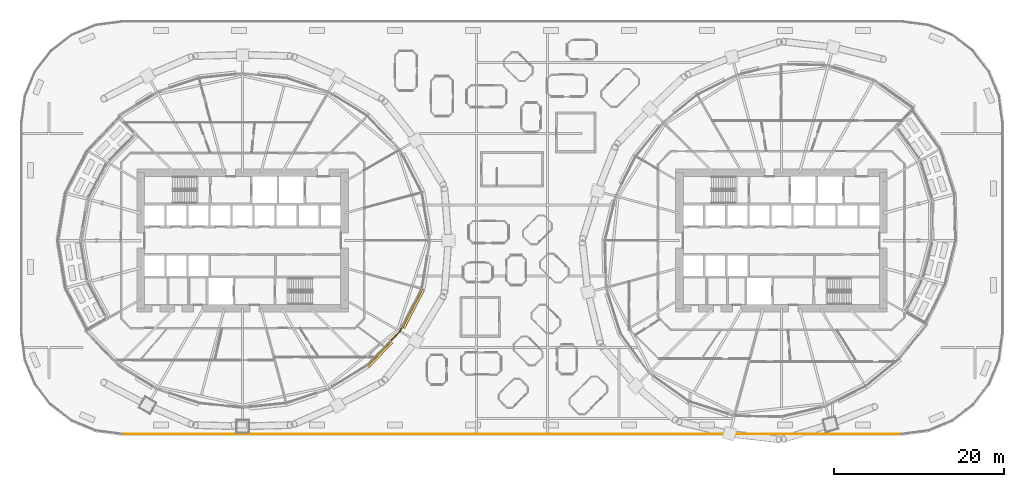
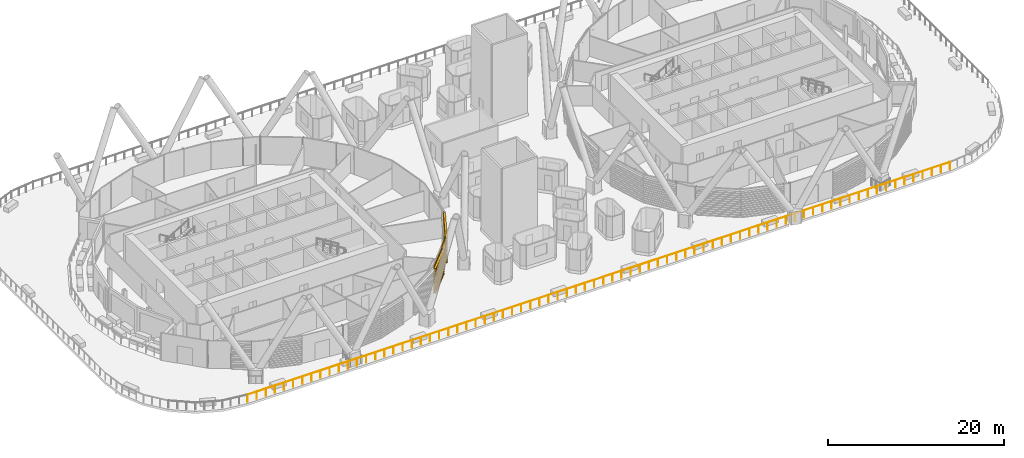
# One storey, part 38 of 47: 3 coverings, 1 railing.
"""IFC4 building model written with IfcOpenShell, lengths in metres."""

from ifc_helpers import new_model, si_unit, direction, frame, origin, origin_2d, place, context, subcontext, project, spatial, polyline, circle, outline, extrude, material, layer, layer_set, material_profile, profile_set, type_object, element, save


model = new_model("IFC4")

# Units and contexts
model_context = context("Model", 3, precision=1e-05, world=origin(), true_north=direction((0.0, 1.0)))
body_context = subcontext(model_context, "Body", "Model", "MODEL_VIEW")
ifc_project = project(units=[si_unit("LENGTHUNIT", "METRE"), si_unit("AREAUNIT", "SQUARE_METRE"), si_unit("VOLUMEUNIT", "CUBIC_METRE"), si_unit("PLANEANGLEUNIT", "RADIAN"), si_unit("MASSUNIT", "GRAM", prefix="KILO")], contexts=[model_context])

# Site, building, storey
site_placement = place(None, origin())
site = spatial("IfcSite", under=ifc_project, at=site_placement, CompositionType="ELEMENT")
building_placement = place(site_placement, origin())
building = spatial("IfcBuilding", under=site, at=building_placement, Name="Rimbun Link Towers", CompositionType="ELEMENT")
storey_placement = place(building_placement, frame((0.0, 0.0, 30.0)))
storey = spatial("IfcBuildingStorey", under=building, at=storey_placement, Name="L06", CompositionType="ELEMENT", Elevation=30.0)

# Railing
ifc_material_1 = material(Name="Toughened laminated glass, stainless steel grade 316 posts and cap rail", Category="steel")
railing_type = type_object("IfcRailingType", Name="GUARD glass balustrade with stainless cap rail", PredefinedType="BALUSTRADE", material=ifc_material_1)
railing_placement = place(storey_placement, frame((-45.98681640625, -22.800048828125, 0.0)))
element("IfcRailing", 1, at=railing_placement, inside=storey, type_object=railing_type, Name="GUARD glass balustrade", PredefinedType="BALUSTRADE", context=body_context, shape_type="SweptSolid", body=[
    extrude(circle(Radius=0.02392578125, at=origin_2d()), frame((0.0, 0.0, 1.076171875), z_axis=(1.0, 0.0, 0.0), x_axis=(0.0, 1.0, 0.0)), (0.0, 0.0, 1.0), 91.9736328125),
    extrude(circle(Radius=0.02099609375, at=origin_2d()), origin(), (0.0, 0.0, 1.0), 1.052001953125),
    extrude(circle(Radius=0.02099609375, at=origin_2d()), frame((1.194580078125, 0.0, 0.0)), (0.0, 0.0, 1.0), 1.052001953125),
    extrude(circle(Radius=0.02099609375, at=origin_2d()), frame((2.388916015625, 0.0, 0.0)), (0.0, 0.0, 1.0), 1.052001953125),
    extrude(circle(Radius=0.02099609375, at=origin_2d()), frame((3.58349609375, 0.0, 0.0)), (0.0, 0.0, 1.0), 1.052001953125),
    extrude(circle(Radius=0.02099609375, at=origin_2d()), frame((4.77783203125, 0.0, 0.0)), (0.0, 0.0, 1.0), 1.052001953125),
    extrude(circle(Radius=0.02099609375, at=origin_2d()), frame((5.972412109375, 0.0, 0.0)), (0.0, 0.0, 1.0), 1.052001953125),
    extrude(circle(Radius=0.02099609375, at=origin_2d()), frame((7.166748046875, 0.0, 0.0)), (0.0, 0.0, 1.0), 1.052001953125),
    extrude(circle(Radius=0.02099609375, at=origin_2d()), frame((8.361328125, 0.0, 0.0)), (0.0, 0.0, 1.0), 1.052001953125),
    extrude(circle(Radius=0.02099609375, at=origin_2d()), frame((9.5556640625, 0.0, 0.0)), (0.0, 0.0, 1.0), 1.052001953125),
    extrude(circle(Radius=0.02099609375, at=origin_2d()), frame((10.750244140625, 0.0, 0.0)), (0.0, 0.0, 1.0), 1.052001953125),
    extrude(circle(Radius=0.02099609375, at=origin_2d()), frame((11.944580078125, 0.0, 0.0)), (0.0, 0.0, 1.0), 1.052001953125),
    extrude(circle(Radius=0.02099609375, at=origin_2d()), frame((13.13916015625, 0.0, 0.0)), (0.0, 0.0, 1.0), 1.052001953125),
    extrude(circle(Radius=0.02099609375, at=origin_2d()), frame((14.33349609375, 0.0, 0.0)), (0.0, 0.0, 1.0), 1.052001953125),
    extrude(circle(Radius=0.02099609375, at=origin_2d()), frame((15.528076171875, 0.0, 0.0)), (0.0, 0.0, 1.0), 1.052001953125),
    extrude(circle(Radius=0.02099609375, at=origin_2d()), frame((16.722412109375, 0.0, 0.0)), (0.0, 0.0, 1.0), 1.052001953125),
    extrude(circle(Radius=0.02099609375, at=origin_2d()), frame((17.9169921875, 0.0, 0.0)), (0.0, 0.0, 1.0), 1.052001953125),
    extrude(circle(Radius=0.02099609375, at=origin_2d()), frame((19.111328125, 0.0, 0.0)), (0.0, 0.0, 1.0), 1.052001953125),
    extrude(circle(Radius=0.02099609375, at=origin_2d()), frame((20.305908203125, 0.0, 0.0)), (0.0, 0.0, 1.0), 1.052001953125),
    extrude(circle(Radius=0.02099609375, at=origin_2d()), frame((21.500244140625, 0.0, 0.0)), (0.0, 0.0, 1.0), 1.052001953125),
    extrude(circle(Radius=0.02099609375, at=origin_2d()), frame((22.69482421875, 0.0, 0.0)), (0.0, 0.0, 1.0), 1.052001953125),
    extrude(circle(Radius=0.02099609375, at=origin_2d()), frame((23.88916015625, 0.0, 0.0)), (0.0, 0.0, 1.0), 1.052001953125),
    extrude(circle(Radius=0.02099609375, at=origin_2d()), frame((25.083740234375, 0.0, 0.0)), (0.0, 0.0, 1.0), 1.052001953125),
    extrude(circle(Radius=0.02099609375, at=origin_2d()), frame((26.278076171875, 0.0, 0.0)), (0.0, 0.0, 1.0), 1.052001953125),
    extrude(circle(Radius=0.02099609375, at=origin_2d()), frame((27.47265625, 0.0, 0.0)), (0.0, 0.0, 1.0), 1.052001953125),
    extrude(circle(Radius=0.02099609375, at=origin_2d()), frame((28.6669921875, 0.0, 0.0)), (0.0, 0.0, 1.0), 1.052001953125),
    extrude(circle(Radius=0.02099609375, at=origin_2d()), frame((29.861572265625, 0.0, 0.0)), (0.0, 0.0, 1.0), 1.052001953125),
    extrude(circle(Radius=0.02099609375, at=origin_2d()), frame((31.05615234375, 0.0, 0.0)), (0.0, 0.0, 1.0), 1.052001953125),
    extrude(circle(Radius=0.02099609375, at=origin_2d()), frame((32.25048828125, 0.0, 0.0)), (0.0, 0.0, 1.0), 1.052001953125),
    extrude(circle(Radius=0.02099609375, at=origin_2d()), frame((33.445068359375, 0.0, 0.0)), (0.0, 0.0, 1.0), 1.052001953125),
    extrude(circle(Radius=0.02099609375, at=origin_2d()), frame((34.639404296875, 0.0, 0.0)), (0.0, 0.0, 1.0), 1.052001953125),
    extrude(circle(Radius=0.02099609375, at=origin_2d()), frame((35.833984375, 0.0, 0.0)), (0.0, 0.0, 1.0), 1.052001953125),
    extrude(circle(Radius=0.02099609375, at=origin_2d()), frame((37.0283203125, 0.0, 0.0)), (0.0, 0.0, 1.0), 1.052001953125),
    extrude(circle(Radius=0.02099609375, at=origin_2d()), frame((38.222900390625, 0.0, 0.0)), (0.0, 0.0, 1.0), 1.052001953125),
    extrude(circle(Radius=0.02099609375, at=origin_2d()), frame((39.417236328125, 0.0, 0.0)), (0.0, 0.0, 1.0), 1.052001953125),
    extrude(circle(Radius=0.02099609375, at=origin_2d()), frame((40.61181640625, 0.0, 0.0)), (0.0, 0.0, 1.0), 1.052001953125),
    extrude(circle(Radius=0.02099609375, at=origin_2d()), frame((41.80615234375, 0.0, 0.0)), (0.0, 0.0, 1.0), 1.052001953125),
    extrude(circle(Radius=0.02099609375, at=origin_2d()), frame((43.000732421875, 0.0, 0.0)), (0.0, 0.0, 1.0), 1.052001953125),
    extrude(circle(Radius=0.02099609375, at=origin_2d()), frame((44.195068359375, 0.0, 0.0)), (0.0, 0.0, 1.0), 1.052001953125),
    extrude(circle(Radius=0.02099609375, at=origin_2d()), frame((45.3896484375, 0.0, 0.0)), (0.0, 0.0, 1.0), 1.052001953125),
    extrude(circle(Radius=0.02099609375, at=origin_2d()), frame((46.583984375, 0.0, 0.0)), (0.0, 0.0, 1.0), 1.052001953125),
    extrude(circle(Radius=0.02099609375, at=origin_2d()), frame((47.778564453125, 0.0, 0.0)), (0.0, 0.0, 1.0), 1.052001953125),
    extrude(circle(Radius=0.02099609375, at=origin_2d()), frame((48.972900390625, 0.0, 0.0)), (0.0, 0.0, 1.0), 1.052001953125),
    extrude(circle(Radius=0.02099609375, at=origin_2d()), frame((50.16748046875, 0.0, 0.0)), (0.0, 0.0, 1.0), 1.052001953125),
    extrude(circle(Radius=0.02099609375, at=origin_2d()), frame((51.36181640625, 0.0, 0.0)), (0.0, 0.0, 1.0), 1.052001953125),
    extrude(circle(Radius=0.02099609375, at=origin_2d()), frame((52.556396484375, 0.0, 0.0)), (0.0, 0.0, 1.0), 1.052001953125),
    extrude(circle(Radius=0.02099609375, at=origin_2d()), frame((53.750732421875, 0.0, 0.0)), (0.0, 0.0, 1.0), 1.052001953125),
    extrude(circle(Radius=0.02099609375, at=origin_2d()), frame((54.9453125, 0.0, 0.0)), (0.0, 0.0, 1.0), 1.052001953125),
    extrude(circle(Radius=0.02099609375, at=origin_2d()), frame((56.1396484375, 0.0, 0.0)), (0.0, 0.0, 1.0), 1.052001953125),
    extrude(circle(Radius=0.02099609375, at=origin_2d()), frame((57.334228515625, 0.0, 0.0)), (0.0, 0.0, 1.0), 1.052001953125),
    extrude(circle(Radius=0.02099609375, at=origin_2d()), frame((58.528564453125, 0.0, 0.0)), (0.0, 0.0, 1.0), 1.052001953125),
    extrude(circle(Radius=0.02099609375, at=origin_2d()), frame((59.72314453125, 0.0, 0.0)), (0.0, 0.0, 1.0), 1.052001953125),
    extrude(circle(Radius=0.02099609375, at=origin_2d()), frame((60.91748046875, 0.0, 0.0)), (0.0, 0.0, 1.0), 1.052001953125),
    extrude(circle(Radius=0.02099609375, at=origin_2d()), frame((62.112060546875, 0.0, 0.0)), (0.0, 0.0, 1.0), 1.052001953125),
    extrude(circle(Radius=0.02099609375, at=origin_2d()), frame((63.306640625, 0.0, 0.0)), (0.0, 0.0, 1.0), 1.052001953125),
    extrude(circle(Radius=0.02099609375, at=origin_2d()), frame((64.5009765625, 0.0, 0.0)), (0.0, 0.0, 1.0), 1.052001953125),
    extrude(circle(Radius=0.02099609375, at=origin_2d()), frame((65.695556640625, 0.0, 0.0)), (0.0, 0.0, 1.0), 1.052001953125),
    extrude(circle(Radius=0.02099609375, at=origin_2d()), frame((66.889892578125, 0.0, 0.0)), (0.0, 0.0, 1.0), 1.052001953125),
    extrude(circle(Radius=0.02099609375, at=origin_2d()), frame((68.08447265625, 0.0, 0.0)), (0.0, 0.0, 1.0), 1.052001953125),
    extrude(circle(Radius=0.02099609375, at=origin_2d()), frame((69.27880859375, 0.0, 0.0)), (0.0, 0.0, 1.0), 1.052001953125),
    extrude(circle(Radius=0.02099609375, at=origin_2d()), frame((70.473388671875, 0.0, 0.0)), (0.0, 0.0, 1.0), 1.052001953125),
    extrude(circle(Radius=0.02099609375, at=origin_2d()), frame((71.667724609375, 0.0, 0.0)), (0.0, 0.0, 1.0), 1.052001953125),
    extrude(circle(Radius=0.02099609375, at=origin_2d()), frame((72.8623046875, 0.0, 0.0)), (0.0, 0.0, 1.0), 1.052001953125),
    extrude(circle(Radius=0.02099609375, at=origin_2d()), frame((74.056640625, 0.0, 0.0)), (0.0, 0.0, 1.0), 1.052001953125),
    extrude(circle(Radius=0.02099609375, at=origin_2d()), frame((75.251220703125, 0.0, 0.0)), (0.0, 0.0, 1.0), 1.052001953125),
    extrude(circle(Radius=0.02099609375, at=origin_2d()), frame((76.445556640625, 0.0, 0.0)), (0.0, 0.0, 1.0), 1.052001953125),
    extrude(circle(Radius=0.02099609375, at=origin_2d()), frame((77.64013671875, 0.0, 0.0)), (0.0, 0.0, 1.0), 1.052001953125),
    extrude(circle(Radius=0.02099609375, at=origin_2d()), frame((78.83447265625, 0.0, 0.0)), (0.0, 0.0, 1.0), 1.052001953125),
    extrude(circle(Radius=0.02099609375, at=origin_2d()), frame((80.029052734375, 0.0, 0.0)), (0.0, 0.0, 1.0), 1.052001953125),
    extrude(circle(Radius=0.02099609375, at=origin_2d()), frame((81.223388671875, 0.0, 0.0)), (0.0, 0.0, 1.0), 1.052001953125),
    extrude(circle(Radius=0.02099609375, at=origin_2d()), frame((82.41796875, 0.0, 0.0)), (0.0, 0.0, 1.0), 1.052001953125),
    extrude(circle(Radius=0.02099609375, at=origin_2d()), frame((83.6123046875, 0.0, 0.0)), (0.0, 0.0, 1.0), 1.052001953125),
    extrude(circle(Radius=0.02099609375, at=origin_2d()), frame((84.806884765625, 0.0, 0.0)), (0.0, 0.0, 1.0), 1.052001953125),
    extrude(circle(Radius=0.02099609375, at=origin_2d()), frame((86.001220703125, 0.0, 0.0)), (0.0, 0.0, 1.0), 1.052001953125),
    extrude(circle(Radius=0.02099609375, at=origin_2d()), frame((87.19580078125, 0.0, 0.0)), (0.0, 0.0, 1.0), 1.052001953125),
    extrude(circle(Radius=0.02099609375, at=origin_2d()), frame((88.39013671875, 0.0, 0.0)), (0.0, 0.0, 1.0), 1.052001953125),
    extrude(circle(Radius=0.02099609375, at=origin_2d()), frame((89.584716796875, 0.0, 0.0)), (0.0, 0.0, 1.0), 1.052001953125),
    extrude(circle(Radius=0.02099609375, at=origin_2d()), frame((90.779052734375, 0.0, 0.0)), (0.0, 0.0, 1.0), 1.052001953125),
    extrude(circle(Radius=0.02099609375, at=origin_2d()), frame((91.9736328125, 0.0, 0.0)), (0.0, 0.0, 1.0), 1.052001953125),
])

# Coverings
ifc_material_2 = material(Name="Terracotta", Category="masonry")
ifc_layer = layer(ifc_material_2, 0.1201171875)
ifc_layer_set = layer_set([ifc_layer], Name="LINK PIER terracotta cladding 120")
covering_type_1 = type_object("IfcCoveringType", Name="LINK PIER terracotta cladding 120", PredefinedType="CLADDING", material=ifc_layer_set)
covering_1_placement = place(storey_placement, origin())
element("IfcCovering", 2, at=covering_1_placement, inside=storey, type_object=covering_type_1, Name="LINK PIER cladding", PredefinedType="CLADDING", context=body_context, shape_type="SweptSolid", body=[
    extrude(outline(polyline([(-13.026123046875, -10.21044921875), (-13.26513671875, -10.672119140625), (-14.317138671875, -11.769287109375), (-14.23046875, -11.8525390625), (-13.16650390625, -10.74267578125), (-12.919677734375, -10.265625), (-13.026123046875, -10.21044921875)])), origin(), (0.0, 0.0, 1.0), 3.800048828125),
])
ifc_material_3 = material(Name="Terracotta", Category="masonry")
ifc_material_profile = material_profile(ifc_material_3, outline(polyline([(0.123046875, 0.0), (0.1630859375, 0.0), (0.1630859375, 0.10009765625), (0.423095703125, 0.10009765625), (0.423095703125, 0.219970703125), (0.1630859375, 0.219970703125), (0.1630859375, 0.39990234375), (0.423095703125, 0.39990234375), (0.423095703125, 0.52001953125), (0.1630859375, 0.52001953125), (0.1630859375, 0.699951171875), (0.423095703125, 0.699951171875), (0.423095703125, 0.820068359375), (0.1630859375, 0.820068359375), (0.1630859375, 1.0), (0.423095703125, 1.0), (0.423095703125, 1.1201171875), (0.1630859375, 1.1201171875), (0.1630859375, 1.300048828125), (0.423095703125, 1.300048828125), (0.423095703125, 1.419921875), (0.1630859375, 1.419921875), (0.1630859375, 1.60009765625), (0.423095703125, 1.60009765625), (0.423095703125, 1.719970703125), (0.1630859375, 1.719970703125), (0.1630859375, 1.89990234375), (0.423095703125, 1.89990234375), (0.423095703125, 2.02001953125), (0.1630859375, 2.02001953125), (0.1630859375, 2.199951171875), (0.423095703125, 2.199951171875), (0.423095703125, 2.320068359375), (0.1630859375, 2.320068359375), (0.1630859375, 2.5), (0.423095703125, 2.5), (0.423095703125, 2.6201171875), (0.1630859375, 2.6201171875), (0.1630859375, 2.800048828125), (0.423095703125, 2.800048828125), (0.423095703125, 2.919921875), (0.1630859375, 2.919921875), (0.1630859375, 3.10009765625), (0.423095703125, 3.10009765625), (0.423095703125, 3.219970703125), (0.1630859375, 3.219970703125), (0.1630859375, 3.39990234375), (0.423095703125, 3.39990234375), (0.423095703125, 3.52001953125), (0.1630859375, 3.52001953125), (0.1630859375, 3.800048828125), (0.123046875, 3.800048828125), (0.123046875, 0.0)])), Name="BAGUETTE 120X300")
ifc_profile_set = profile_set([ifc_material_profile], Name="Terracotta")
covering_type_2 = type_object("IfcCoveringType", Name="TERRACOTTA BAGUETTE 120X300 H3800", PredefinedType="CLADDING", material=ifc_profile_set)
covering_2_placement = place(storey_placement, frame((-14.337890625, -11.791015625, 0.0), z_axis=(-0.692026728068, -0.721871877579, 0.0), x_axis=(0.721871877579, -0.692026728068, 0.0)))
element("IfcCovering", 3, at=covering_2_placement, inside=storey, type_object=covering_type_2, Name="TERRACOTTA BAGUETTE", PredefinedType="CLADDING", context=body_context, shape_type="SweptSolid", body=[
    extrude(outline(polyline([(0.123046875, 0.0), (0.1630859375, 0.0), (0.1630859375, 0.10009765625), (0.423095703125, 0.10009765625), (0.423095703125, 0.219970703125), (0.1630859375, 0.219970703125), (0.1630859375, 0.39990234375), (0.423095703125, 0.39990234375), (0.423095703125, 0.52001953125), (0.1630859375, 0.52001953125), (0.1630859375, 0.699951171875), (0.423095703125, 0.699951171875), (0.423095703125, 0.820068359375), (0.1630859375, 0.820068359375), (0.1630859375, 1.0), (0.423095703125, 1.0), (0.423095703125, 1.1201171875), (0.1630859375, 1.1201171875), (0.1630859375, 1.300048828125), (0.423095703125, 1.300048828125), (0.423095703125, 1.419921875), (0.1630859375, 1.419921875), (0.1630859375, 1.60009765625), (0.423095703125, 1.60009765625), (0.423095703125, 1.719970703125), (0.1630859375, 1.719970703125), (0.1630859375, 1.89990234375), (0.423095703125, 1.89990234375), (0.423095703125, 2.02001953125), (0.1630859375, 2.02001953125), (0.1630859375, 2.199951171875), (0.423095703125, 2.199951171875), (0.423095703125, 2.320068359375), (0.1630859375, 2.320068359375), (0.1630859375, 2.5), (0.423095703125, 2.5), (0.423095703125, 2.6201171875), (0.1630859375, 2.6201171875), (0.1630859375, 2.800048828125), (0.423095703125, 2.800048828125), (0.423095703125, 2.919921875), (0.1630859375, 2.919921875), (0.1630859375, 3.10009765625), (0.423095703125, 3.10009765625), (0.423095703125, 3.219970703125), (0.1630859375, 3.219970703125), (0.1630859375, 3.39990234375), (0.423095703125, 3.39990234375), (0.423095703125, 3.52001953125), (0.1630859375, 3.52001953125), (0.1630859375, 3.800048828125), (0.123046875, 3.800048828125), (0.123046875, 0.0)])), origin(), (0.0, 0.0, 1.0), 3.9755859375),
])
covering_3_placement = place(storey_placement, frame((-10.666259765625, -5.6494140625, 0.0), z_axis=(-0.459546500768, -0.888153710589, 0.0), x_axis=(0.888153710589, -0.459546500768, 0.0)))
element("IfcCovering", 4, at=covering_3_placement, inside=storey, type_object=covering_type_2, Name="TERRACOTTA BAGUETTE", PredefinedType="CLADDING", context=body_context, shape_type="SweptSolid", body=[
    extrude(outline(polyline([(0.123046875, 0.0), (0.1630859375, 0.0), (0.1630859375, 0.10009765625), (0.423095703125, 0.10009765625), (0.423095703125, 0.219970703125), (0.1630859375, 0.219970703125), (0.1630859375, 0.39990234375), (0.423095703125, 0.39990234375), (0.423095703125, 0.52001953125), (0.1630859375, 0.52001953125), (0.1630859375, 0.699951171875), (0.423095703125, 0.699951171875), (0.423095703125, 0.820068359375), (0.1630859375, 0.820068359375), (0.1630859375, 1.0), (0.423095703125, 1.0), (0.423095703125, 1.1201171875), (0.1630859375, 1.1201171875), (0.1630859375, 1.300048828125), (0.423095703125, 1.300048828125), (0.423095703125, 1.419921875), (0.1630859375, 1.419921875), (0.1630859375, 1.60009765625), (0.423095703125, 1.60009765625), (0.423095703125, 1.719970703125), (0.1630859375, 1.719970703125), (0.1630859375, 1.89990234375), (0.423095703125, 1.89990234375), (0.423095703125, 2.02001953125), (0.1630859375, 2.02001953125), (0.1630859375, 2.199951171875), (0.423095703125, 2.199951171875), (0.423095703125, 2.320068359375), (0.1630859375, 2.320068359375), (0.1630859375, 2.5), (0.423095703125, 2.5), (0.423095703125, 2.6201171875), (0.1630859375, 2.6201171875), (0.1630859375, 2.800048828125), (0.423095703125, 2.800048828125), (0.423095703125, 2.919921875), (0.1630859375, 2.919921875), (0.1630859375, 3.10009765625), (0.423095703125, 3.10009765625), (0.423095703125, 3.219970703125), (0.1630859375, 3.219970703125), (0.1630859375, 3.39990234375), (0.423095703125, 3.39990234375), (0.423095703125, 3.52001953125), (0.1630859375, 3.52001953125), (0.1630859375, 3.800048828125), (0.123046875, 3.800048828125), (0.123046875, 0.0)])), origin(), (0.0, 0.0, 1.0), 5.10546875),
])

save(model, "model.ifc")
